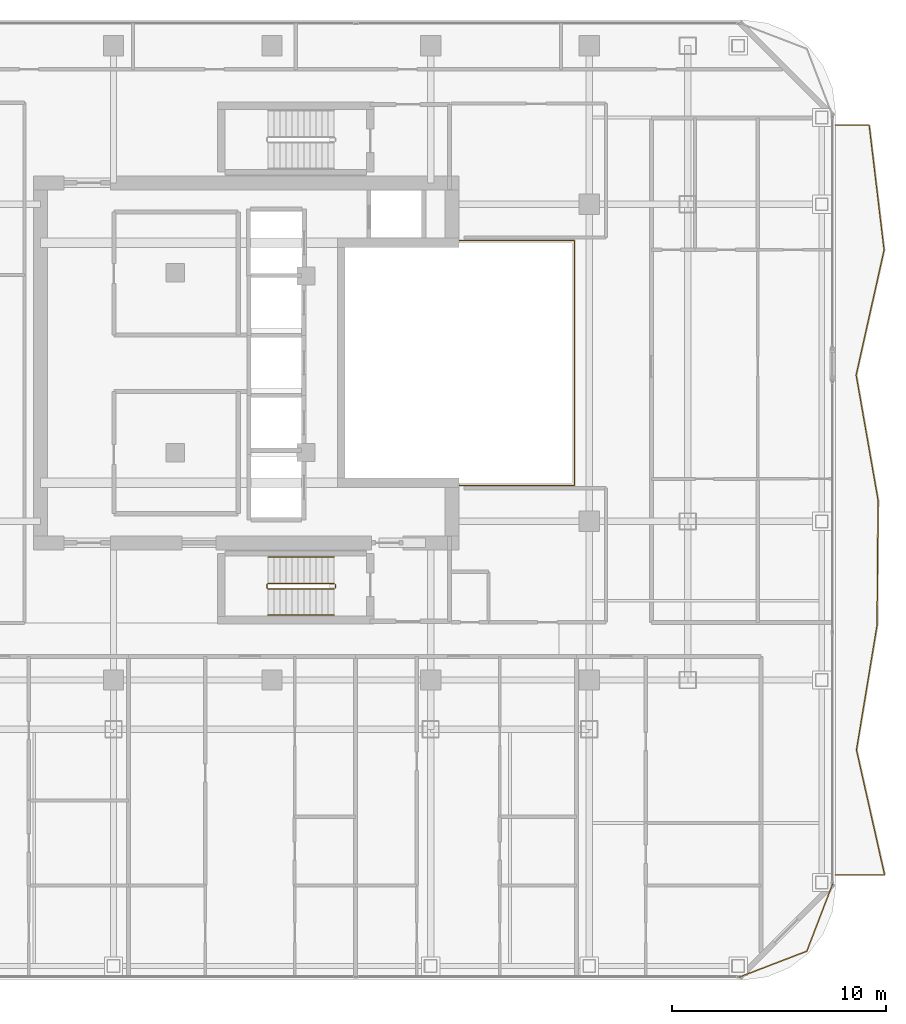
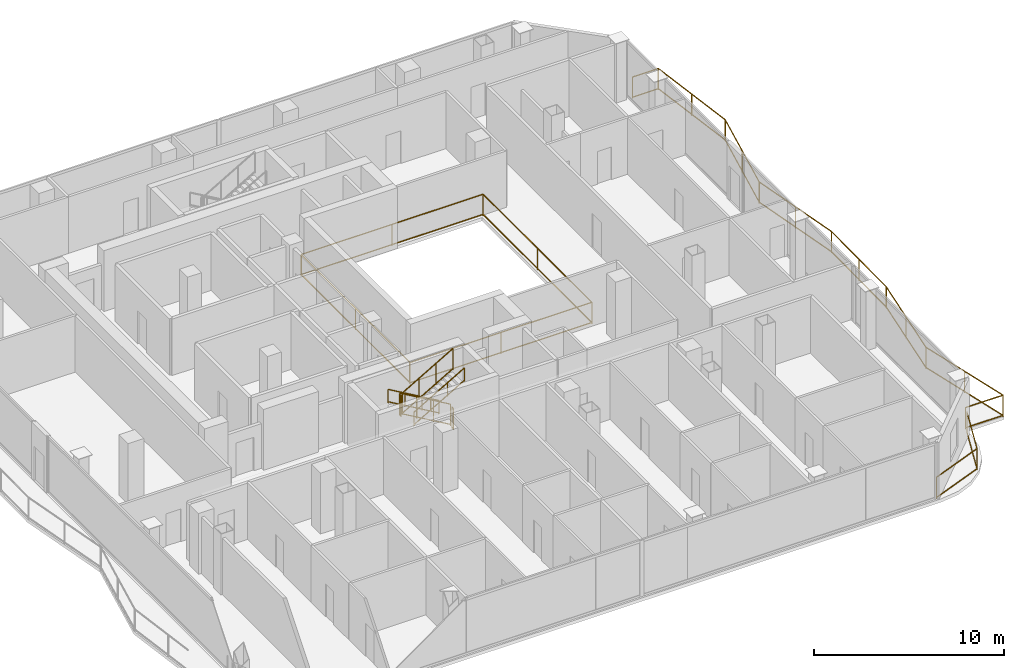
# One storey, part 25 of 26: 9 railings.
"""IFC4 building model written with IfcOpenShell, lengths in metres."""

from ifc_helpers import new_model, si_unit, direction, frame, origin, origin_2d, place, context, subcontext, project, spatial, rectangle, extrude, material, type_object, element, save


model = new_model("IFC4")

# Units and contexts
model_context = context("Model", 3, precision=1e-05, world=origin(), true_north=direction((0.0, 1.0)))
body_context = subcontext(model_context, "Body", "Model", "MODEL_VIEW")
ifc_project = project(units=[si_unit("LENGTHUNIT", "METRE"), si_unit("AREAUNIT", "SQUARE_METRE"), si_unit("VOLUMEUNIT", "CUBIC_METRE"), si_unit("PLANEANGLEUNIT", "RADIAN"), si_unit("MASSUNIT", "GRAM", prefix="KILO")], contexts=[model_context])

# Site, building, storey
site_placement = place(None, origin())
site = spatial("IfcSite", under=ifc_project, at=site_placement, CompositionType="ELEMENT")
building_placement = place(site_placement, origin())
building = spatial("IfcBuilding", under=site, at=building_placement, Name="Khorvyn Point Tower", CompositionType="ELEMENT")
storey_placement = place(building_placement, frame((0.0, 0.0, 250.800048828125)))
storey = spatial("IfcBuildingStorey", under=building, at=storey_placement, Name="L61", CompositionType="ELEMENT", Elevation=250.800048828125)

# Railings
ifc_material_1 = material(Name="Stainless steel 1.4401 and laminated glass", Category="steel")
railing_type_1 = type_object("IfcRailingType", Name="Crystal Atrium Smoke-Rated Perimeter Guardrail 1400", PredefinedType="GUARDRAIL", material=ifc_material_1)
railing_1_placement = place(storey_placement, frame((3.080078125, -5.719970703125, 0.0)))
element("IfcRailing", 1, at=railing_1_placement, inside=storey, type_object=railing_type_1, Name="L61 Crystal Atrium Perimeter Guardrail", PredefinedType="GUARDRAIL", context=body_context, shape_type="SweptSolid", body=[
    extrude(rectangle(XDim=0.048095703125, YDim=0.048095703125, at=origin_2d()), frame((0.0, 0.0, 1.3759765625), z_axis=(1.0, 0.0, 0.0), x_axis=(0.0, 1.0, 0.0)), (0.0, 0.0, 1.0), 11.0400390625),
    extrude(rectangle(XDim=0.048095703125, YDim=0.048095703125, at=origin_2d()), frame((0.0, 0.0, 0.080078125), z_axis=(1.0, 0.0, 0.0), x_axis=(0.0, 1.0, 0.0)), (0.0, 0.0, 1.0), 11.0400390625),
    extrude(rectangle(XDim=0.048095703125, YDim=0.048095703125, at=origin_2d()), frame((11.0400390625, 0.0, 1.3759765625), z_axis=(0.0, 1.0, 0.0), x_axis=(-1.0, 0.0, 0.0)), (0.0, 0.0, 1.0), 11.43994140625),
    extrude(rectangle(XDim=0.048095703125, YDim=0.048095703125, at=origin_2d()), frame((11.0400390625, 0.0, 0.080078125), z_axis=(0.0, 1.0, 0.0), x_axis=(-1.0, 0.0, 0.0)), (0.0, 0.0, 1.0), 11.43994140625),
    extrude(rectangle(XDim=0.048095703125, YDim=0.048095703125, at=origin_2d()), frame((11.0400390625, 11.43994140625, 1.3759765625), z_axis=(-1.0, 0.0, 0.0), x_axis=(0.0, -1.0, 0.0)), (0.0, 0.0, 1.0), 11.0400390625),
    extrude(rectangle(XDim=0.048095703125, YDim=0.048095703125, at=origin_2d()), frame((11.0400390625, 11.43994140625, 0.080078125), z_axis=(-1.0, 0.0, 0.0), x_axis=(0.0, -1.0, 0.0)), (0.0, 0.0, 1.0), 11.0400390625),
    extrude(rectangle(XDim=0.048095703125, YDim=0.048095703125, at=origin_2d()), frame((0.0, 11.43994140625, 1.3759765625), z_axis=(0.0, -1.0, 0.0), x_axis=(1.0, 0.0, 0.0)), (0.0, 0.0, 1.0), 11.409912109375),
    extrude(rectangle(XDim=0.048095703125, YDim=0.048095703125, at=origin_2d()), frame((0.0, 11.43994140625, 0.080078125), z_axis=(0.0, -1.0, 0.0), x_axis=(1.0, 0.0, 0.0)), (0.0, 0.0, 1.0), 11.409912109375),
    extrude(rectangle(XDim=0.0419921875, YDim=0.0419921875, at=origin_2d()), origin(), (0.0, 0.0, 1.0), 1.351806640625),
    extrude(rectangle(XDim=0.0419921875, YDim=0.0419921875, at=origin_2d()), frame((5.52001953125, 0.0, 0.0)), (0.0, 0.0, 1.0), 1.351806640625),
    extrude(rectangle(XDim=0.0419921875, YDim=0.0419921875, at=origin_2d()), frame((11.0400390625, 0.0, 0.0)), (0.0, 0.0, 1.0), 1.351806640625),
    extrude(rectangle(XDim=0.0419921875, YDim=0.0419921875, at=origin_2d()), frame((11.0400390625, 5.719970703125, 0.0)), (0.0, 0.0, 1.0), 1.351806640625),
    extrude(rectangle(XDim=0.0419921875, YDim=0.0419921875, at=origin_2d()), frame((11.0400390625, 11.43994140625, 0.0)), (0.0, 0.0, 1.0), 1.351806640625),
    extrude(rectangle(XDim=0.0419921875, YDim=0.0419921875, at=origin_2d()), frame((5.52001953125, 11.43994140625, 0.0)), (0.0, 0.0, 1.0), 1.351806640625),
    extrude(rectangle(XDim=0.0419921875, YDim=0.0419921875, at=origin_2d()), frame((0.0, 11.43994140625, 0.0)), (0.0, 0.0, 1.0), 1.351806640625),
    extrude(rectangle(XDim=0.0419921875, YDim=0.0419921875, at=origin_2d()), frame((0.0, 5.73486328125, 0.0)), (0.0, 0.0, 1.0), 1.351806640625),
    extrude(rectangle(XDim=0.0419921875, YDim=0.0419921875, at=origin_2d()), frame((0.0, 0.030029296875, 0.0)), (0.0, 0.0, 1.0), 1.351806640625),
])
ifc_material_2 = material(Name="Anodised aluminium 6063-T6 and laminated safety glass", Category="aluminium")
railing_type_2 = type_object("IfcRailingType", Name="Laminated Glass and Aluminium Balcony Guardrail 1400", PredefinedType="BALUSTRADE", material=ifc_material_2)
railing_2_placement = place(storey_placement, frame((21.78125, -28.67431640625, 0.0)))
element("IfcRailing", 2, at=railing_2_placement, inside=storey, type_object=railing_type_2, Name="L61 Rounded Corner Edge Guardrail SE", PredefinedType="BALUSTRADE", context=body_context, shape_type="SweptSolid", body=[
    extrude(rectangle(XDim=0.048095703125, YDim=0.048095703125, at=origin_2d()), frame((0.0, 0.0, 1.3759765625), z_axis=(0.933589651443, 0.358343916815, 0.0), x_axis=(-0.358343916815, 0.933589651443, 0.0)), (0.0, 0.0, 1.0), 3.400390625),
    extrude(rectangle(XDim=0.048095703125, YDim=0.048095703125, at=origin_2d()), frame((0.0, 0.0, 0.080078125), z_axis=(0.933589651443, 0.358343916815, 0.0), x_axis=(-0.358343916815, 0.933589651443, 0.0)), (0.0, 0.0, 1.0), 3.400390625),
    extrude(rectangle(XDim=0.048095703125, YDim=0.048095703125, at=origin_2d()), frame((3.174560546875, 1.218505859375, 1.3759765625), z_axis=(0.358343916815, 0.933589651443, 0.0), x_axis=(-0.933589651443, 0.358343916815, 0.0)), (0.0, 0.0, 1.0), 3.400390625),
    extrude(rectangle(XDim=0.048095703125, YDim=0.048095703125, at=origin_2d()), frame((3.174560546875, 1.218505859375, 0.080078125), z_axis=(0.358343916815, 0.933589651443, 0.0), x_axis=(-0.933589651443, 0.358343916815, 0.0)), (0.0, 0.0, 1.0), 3.400390625),
    extrude(rectangle(XDim=0.0419921875, YDim=0.0419921875, at=origin_2d()), origin(), (0.0, 0.0, 1.0), 1.351806640625),
    extrude(rectangle(XDim=0.0419921875, YDim=0.0419921875, at=origin_2d()), frame((3.174560546875, 1.218505859375, 0.0)), (0.0, 0.0, 1.0), 1.351806640625),
    extrude(rectangle(XDim=0.0419921875, YDim=0.0419921875, at=origin_2d()), frame((4.39306640625, 4.39306640625, 0.0)), (0.0, 0.0, 1.0), 1.351806640625),
])
railing_3_placement = place(storey_placement, frame((26.300048828125, -23.89990234375, 0.0)))
element("IfcRailing", 3, at=railing_3_placement, inside=storey, type_object=railing_type_2, Name="L61 East Balcony Guardrail", PredefinedType="BALUSTRADE", context=body_context, shape_type="SweptSolid", body=[
    extrude(rectangle(XDim=0.048095703125, YDim=0.048095703125, at=origin_2d()), frame((0.0, 0.0, 1.3759765625), z_axis=(1.0, 0.0, 0.0), x_axis=(0.0, 1.0, 0.0)), (0.0, 0.0, 1.0), 2.285400390625),
    extrude(rectangle(XDim=0.048095703125, YDim=0.048095703125, at=origin_2d()), frame((0.0, 0.0, 0.080078125), z_axis=(1.0, 0.0, 0.0), x_axis=(0.0, 1.0, 0.0)), (0.0, 0.0, 1.0), 2.285400390625),
    extrude(rectangle(XDim=0.048095703125, YDim=0.048095703125, at=origin_2d()), frame((2.285400390625, 0.0, 1.3759765625), z_axis=(-0.219825995225, 0.97553909805, 0.0), x_axis=(-0.97553909805, -0.219825995225, 0.0)), (0.0, 0.0, 1.0), 5.9794921875),
    extrude(rectangle(XDim=0.048095703125, YDim=0.048095703125, at=origin_2d()), frame((2.285400390625, 0.0, 0.080078125), z_axis=(-0.219825995225, 0.97553909805, 0.0), x_axis=(-0.97553909805, -0.219825995225, 0.0)), (0.0, 0.0, 1.0), 5.9794921875),
    extrude(rectangle(XDim=0.048095703125, YDim=0.048095703125, at=origin_2d()), frame((0.970947265625, 5.833251953125, 1.3759765625), z_axis=(0.163026103585, 0.98662175607, 0.0), x_axis=(-0.98662175607, 0.163026103585, 0.0)), (0.0, 0.0, 1.0), 5.912353515625),
    extrude(rectangle(XDim=0.048095703125, YDim=0.048095703125, at=origin_2d()), frame((0.970947265625, 5.833251953125, 0.080078125), z_axis=(0.163026103585, 0.98662175607, 0.0), x_axis=(-0.98662175607, 0.163026103585, 0.0)), (0.0, 0.0, 1.0), 5.912353515625),
    extrude(rectangle(XDim=0.048095703125, YDim=0.048095703125, at=origin_2d()), frame((1.934814453125, 11.66650390625, 1.3759765625), z_axis=(0.007449362227, 0.999972253116, 0.0), x_axis=(-0.999972253116, 0.007449362227, 0.0)), (0.0, 0.0, 1.0), 5.833740234375),
    extrude(rectangle(XDim=0.048095703125, YDim=0.048095703125, at=origin_2d()), frame((1.934814453125, 11.66650390625, 0.080078125), z_axis=(0.007449362227, 0.999972253116, 0.0), x_axis=(-0.999972253116, 0.007449362227, 0.0)), (0.0, 0.0, 1.0), 5.833740234375),
    extrude(rectangle(XDim=0.048095703125, YDim=0.048095703125, at=origin_2d()), frame((1.978271484375, 17.5, 1.3759765625), z_axis=(-0.172449333393, 0.985018389378, 0.0), x_axis=(-0.985018389378, -0.172449333393, 0.0)), (0.0, 0.0, 1.0), 5.921875),
    extrude(rectangle(XDim=0.048095703125, YDim=0.048095703125, at=origin_2d()), frame((1.978271484375, 17.5, 0.080078125), z_axis=(-0.172449333393, 0.985018389378, 0.0), x_axis=(-0.985018389378, -0.172449333393, 0.0)), (0.0, 0.0, 1.0), 5.921875),
    extrude(rectangle(XDim=0.048095703125, YDim=0.048095703125, at=origin_2d()), frame((0.95703125, 23.333251953125, 1.3759765625), z_axis=(0.218037493008, 0.975940393489, 0.0), x_axis=(-0.975940393489, 0.218037493008, 0.0)), (0.0, 0.0, 1.0), 5.97705078125),
    extrude(rectangle(XDim=0.048095703125, YDim=0.048095703125, at=origin_2d()), frame((0.95703125, 23.333251953125, 0.080078125), z_axis=(0.218037493008, 0.975940393489, 0.0), x_axis=(-0.975940393489, 0.218037493008, 0.0)), (0.0, 0.0, 1.0), 5.97705078125),
    extrude(rectangle(XDim=0.048095703125, YDim=0.048095703125, at=origin_2d()), frame((2.26025390625, 29.16650390625, 1.3759765625), z_axis=(-0.118724083509, 0.992927284344, 0.0), x_axis=(-0.992927284344, -0.118724083509, 0.0)), (0.0, 0.0, 1.0), 5.875),
    extrude(rectangle(XDim=0.048095703125, YDim=0.048095703125, at=origin_2d()), frame((2.26025390625, 29.16650390625, 0.080078125), z_axis=(-0.118724083509, 0.992927284344, 0.0), x_axis=(-0.992927284344, -0.118724083509, 0.0)), (0.0, 0.0, 1.0), 5.875),
    extrude(rectangle(XDim=0.048095703125, YDim=0.048095703125, at=origin_2d()), frame((1.562744140625, 35.0, 1.3759765625), z_axis=(-1.0, 0.0, 0.0), x_axis=(0.0, -1.0, 0.0)), (0.0, 0.0, 1.0), 1.562744140625),
    extrude(rectangle(XDim=0.048095703125, YDim=0.048095703125, at=origin_2d()), frame((1.562744140625, 35.0, 0.080078125), z_axis=(-1.0, 0.0, 0.0), x_axis=(0.0, -1.0, 0.0)), (0.0, 0.0, 1.0), 1.562744140625),
    extrude(rectangle(XDim=0.0419921875, YDim=0.0419921875, at=origin_2d()), origin(), (0.0, 0.0, 1.0), 1.351806640625),
    extrude(rectangle(XDim=0.0419921875, YDim=0.0419921875, at=origin_2d()), frame((2.285400390625, 0.0, 0.0)), (0.0, 0.0, 1.0), 1.351806640625),
    extrude(rectangle(XDim=0.0419921875, YDim=0.0419921875, at=origin_2d()), frame((1.628173828125, 2.91650390625, 0.0)), (0.0, 0.0, 1.0), 1.351806640625),
    extrude(rectangle(XDim=0.0419921875, YDim=0.0419921875, at=origin_2d()), frame((0.970947265625, 5.833251953125, 0.0)), (0.0, 0.0, 1.0), 1.351806640625),
    extrude(rectangle(XDim=0.0419921875, YDim=0.0419921875, at=origin_2d()), frame((1.452880859375, 8.75, 0.0)), (0.0, 0.0, 1.0), 1.351806640625),
    extrude(rectangle(XDim=0.0419921875, YDim=0.0419921875, at=origin_2d()), frame((1.934814453125, 11.66650390625, 0.0)), (0.0, 0.0, 1.0), 1.351806640625),
    extrude(rectangle(XDim=0.0419921875, YDim=0.0419921875, at=origin_2d()), frame((1.95654296875, 14.583251953125, 0.0)), (0.0, 0.0, 1.0), 1.351806640625),
    extrude(rectangle(XDim=0.0419921875, YDim=0.0419921875, at=origin_2d()), frame((1.978271484375, 17.5, 0.0)), (0.0, 0.0, 1.0), 1.351806640625),
    extrude(rectangle(XDim=0.0419921875, YDim=0.0419921875, at=origin_2d()), frame((1.4677734375, 20.41650390625, 0.0)), (0.0, 0.0, 1.0), 1.351806640625),
    extrude(rectangle(XDim=0.0419921875, YDim=0.0419921875, at=origin_2d()), frame((0.95703125, 23.333251953125, 0.0)), (0.0, 0.0, 1.0), 1.351806640625),
    extrude(rectangle(XDim=0.0419921875, YDim=0.0419921875, at=origin_2d()), frame((1.608642578125, 26.25, 0.0)), (0.0, 0.0, 1.0), 1.351806640625),
    extrude(rectangle(XDim=0.0419921875, YDim=0.0419921875, at=origin_2d()), frame((2.26025390625, 29.16650390625, 0.0)), (0.0, 0.0, 1.0), 1.351806640625),
    extrude(rectangle(XDim=0.0419921875, YDim=0.0419921875, at=origin_2d()), frame((1.91162109375, 32.083251953125, 0.0)), (0.0, 0.0, 1.0), 1.351806640625),
    extrude(rectangle(XDim=0.0419921875, YDim=0.0419921875, at=origin_2d()), frame((1.562744140625, 35.0, 0.0)), (0.0, 0.0, 1.0), 1.351806640625),
    extrude(rectangle(XDim=0.0419921875, YDim=0.0419921875, at=origin_2d()), frame((0.0, 35.0, 0.0)), (0.0, 0.0, 1.0), 1.351806640625),
])
ifc_material_3 = material(Name="Stainless steel 1.4301", Category="steel")
railing_type_3 = type_object("IfcRailingType", Name="Stainless Steel 304 Stair Pitch Handrail 900", PredefinedType="HANDRAIL", material=ifc_material_3)
railing_4_placement = place(storey_placement, frame((2.89990234375, -9.070068359375, 0.162353515625)))
element("IfcRailing", 4, at=railing_4_placement, inside=storey, type_object=railing_type_3, Name="L61 ST-01 stair handrail 1", PredefinedType="HANDRAIL", context=body_context, shape_type="SweptSolid", body=[
    extrude(rectangle(XDim=0.048095703125, YDim=0.048095703125, at=origin_2d()), frame((0.0, 0.0, 0.8759765625), z_axis=(-0.864873446163, 0.0, 0.501989962173), x_axis=(0.0, -1.0, 0.0)), (0.0, 0.0, 1.0), 3.56103515625),
    extrude(rectangle(XDim=0.048095703125, YDim=0.048095703125, at=origin_2d()), frame((0.0, 0.0, 0.080078125), z_axis=(-0.864873446163, 0.0, 0.501989962173), x_axis=(0.0, -1.0, 0.0)), (0.0, 0.0, 1.0), 3.56103515625),
    extrude(rectangle(XDim=0.0419921875, YDim=0.0419921875, at=origin_2d()), origin(), (0.0, 0.0, 1.0), 0.851806640625),
    extrude(rectangle(XDim=0.0419921875, YDim=0.0419921875, at=origin_2d()), frame((-1.026611328125, 0.0, 0.595947265625)), (0.0, 0.0, 1.0), 0.851806640625),
    extrude(rectangle(XDim=0.0419921875, YDim=0.0419921875, at=origin_2d()), frame((-2.05322265625, 0.0, 1.191650390625)), (0.0, 0.0, 1.0), 0.851806640625),
    extrude(rectangle(XDim=0.0419921875, YDim=0.0419921875, at=origin_2d()), frame((-3.079833984375, 0.0, 1.78759765625)), (0.0, 0.0, 1.0), 0.851806640625),
])
railing_5_placement = place(storey_placement, frame((-0.179931640625, -11.77001953125, 2.112548828125)))
element("IfcRailing", 5, at=railing_5_placement, inside=storey, type_object=railing_type_3, Name="L61 ST-01 stair handrail 2", PredefinedType="HANDRAIL", context=body_context, shape_type="SweptSolid", body=[
    extrude(rectangle(XDim=0.048095703125, YDim=0.048095703125, at=origin_2d()), frame((0.0, 0.0, 0.8759765625), z_axis=(0.864903211148, 0.0, 0.501938676878), x_axis=(0.0, 1.0, 0.0)), (0.0, 0.0, 1.0), 3.560791015625),
    extrude(rectangle(XDim=0.048095703125, YDim=0.048095703125, at=origin_2d()), frame((0.0, 0.0, 0.080078125), z_axis=(0.864903211148, 0.0, 0.501938676878), x_axis=(0.0, 1.0, 0.0)), (0.0, 0.0, 1.0), 3.560791015625),
    extrude(rectangle(XDim=0.0419921875, YDim=0.0419921875, at=origin_2d()), origin(), (0.0, 0.0, 1.0), 0.851806640625),
    extrude(rectangle(XDim=0.0419921875, YDim=0.0419921875, at=origin_2d()), frame((1.026611328125, 0.0, 0.595703125)), (0.0, 0.0, 1.0), 0.851806640625),
    extrude(rectangle(XDim=0.0419921875, YDim=0.0419921875, at=origin_2d()), frame((2.05322265625, 0.0, 1.191650390625)), (0.0, 0.0, 1.0), 0.851806640625),
    extrude(rectangle(XDim=0.0419921875, YDim=0.0419921875, at=origin_2d()), frame((3.079833984375, 0.0, 1.787353515625)), (0.0, 0.0, 1.0), 0.851806640625),
])
railing_type_4 = type_object("IfcRailingType", Name="Stainless Steel 304 Stair Well Guardrail 1400", PredefinedType="GUARDRAIL", material=ifc_material_3)
railing_6_placement = place(storey_placement, frame((2.89990234375, -10.2900390625, 0.162353515625)))
element("IfcRailing", 6, at=railing_6_placement, inside=storey, type_object=railing_type_4, Name="L61 ST-01 stair guard 1", PredefinedType="GUARDRAIL", context=body_context, shape_type="SweptSolid", body=[
    extrude(rectangle(XDim=0.048095703125, YDim=0.048095703125, at=origin_2d()), frame((0.0, 0.0, 1.3759765625), z_axis=(-0.864873446163, 0.0, 0.501989962173), x_axis=(0.0, -1.0, 0.0)), (0.0, 0.0, 1.0), 3.56103515625),
    extrude(rectangle(XDim=0.048095703125, YDim=0.048095703125, at=origin_2d()), frame((0.0, 0.0, 0.080078125), z_axis=(-0.864873446163, 0.0, 0.501989962173), x_axis=(0.0, -1.0, 0.0)), (0.0, 0.0, 1.0), 3.56103515625),
    extrude(rectangle(XDim=0.0419921875, YDim=0.0419921875, at=origin_2d()), origin(), (0.0, 0.0, 1.0), 1.351806640625),
    extrude(rectangle(XDim=0.0419921875, YDim=0.0419921875, at=origin_2d()), frame((-1.026611328125, 0.0, 0.595947265625)), (0.0, 0.0, 1.0), 1.351806640625),
    extrude(rectangle(XDim=0.0419921875, YDim=0.0419921875, at=origin_2d()), frame((-2.05322265625, 0.0, 1.191650390625)), (0.0, 0.0, 1.0), 1.351806640625),
    extrude(rectangle(XDim=0.0419921875, YDim=0.0419921875, at=origin_2d()), frame((-3.079833984375, 0.0, 1.78759765625)), (0.0, 0.0, 1.0), 1.351806640625),
])
railing_7_placement = place(storey_placement, frame((-0.22998046875, -10.340087890625, 1.949951171875)))
element("IfcRailing", 7, at=railing_7_placement, inside=storey, type_object=railing_type_4, Name="L61 ST-01 stair guard 2", PredefinedType="GUARDRAIL", context=body_context, shape_type="SweptSolid", body=[
    extrude(rectangle(XDim=0.048095703125, YDim=0.048095703125, at=origin_2d()), frame((0.0, 0.0, 1.3759765625), z_axis=(0.0, -1.0, 0.0), x_axis=(1.0, 0.0, 0.0)), (0.0, 0.0, 1.0), 0.159912109375),
    extrude(rectangle(XDim=0.048095703125, YDim=0.048095703125, at=origin_2d()), frame((0.0, 0.0, 0.080078125), z_axis=(0.0, -1.0, 0.0), x_axis=(1.0, 0.0, 0.0)), (0.0, 0.0, 1.0), 0.159912109375),
    extrude(rectangle(XDim=0.0419921875, YDim=0.0419921875, at=origin_2d()), origin(), (0.0, 0.0, 1.0), 1.351806640625),
    extrude(rectangle(XDim=0.0419921875, YDim=0.0419921875, at=origin_2d()), frame((0.0, -0.159912109375, 0.0)), (0.0, 0.0, 1.0), 1.351806640625),
])
railing_8_placement = place(storey_placement, frame((-0.179931640625, -10.550048828125, 2.112548828125)))
element("IfcRailing", 8, at=railing_8_placement, inside=storey, type_object=railing_type_4, Name="L61 ST-01 stair guard 3", PredefinedType="GUARDRAIL", context=body_context, shape_type="SweptSolid", body=[
    extrude(rectangle(XDim=0.048095703125, YDim=0.048095703125, at=origin_2d()), frame((0.0, 0.0, 1.3759765625), z_axis=(0.864903211148, 0.0, 0.501938676878), x_axis=(0.0, 1.0, 0.0)), (0.0, 0.0, 1.0), 3.560791015625),
    extrude(rectangle(XDim=0.048095703125, YDim=0.048095703125, at=origin_2d()), frame((0.0, 0.0, 0.080078125), z_axis=(0.864903211148, 0.0, 0.501938676878), x_axis=(0.0, 1.0, 0.0)), (0.0, 0.0, 1.0), 3.560791015625),
    extrude(rectangle(XDim=0.0419921875, YDim=0.0419921875, at=origin_2d()), origin(), (0.0, 0.0, 1.0), 1.351806640625),
    extrude(rectangle(XDim=0.0419921875, YDim=0.0419921875, at=origin_2d()), frame((1.026611328125, 0.0, 0.595703125)), (0.0, 0.0, 1.0), 1.351806640625),
    extrude(rectangle(XDim=0.0419921875, YDim=0.0419921875, at=origin_2d()), frame((2.05322265625, 0.0, 1.191650390625)), (0.0, 0.0, 1.0), 1.351806640625),
    extrude(rectangle(XDim=0.0419921875, YDim=0.0419921875, at=origin_2d()), frame((3.079833984375, 0.0, 1.787353515625)), (0.0, 0.0, 1.0), 1.351806640625),
])
railing_9_placement = place(storey_placement, frame((2.949951171875, -10.340087890625, 0.0)))
element("IfcRailing", 9, at=railing_9_placement, inside=storey, type_object=railing_type_4, Name="L61 ST-01 stair guard 4", PredefinedType="GUARDRAIL", context=body_context, shape_type="SweptSolid", body=[
    extrude(rectangle(XDim=0.048095703125, YDim=0.048095703125, at=origin_2d()), frame((0.0, 0.0, 1.3759765625), z_axis=(0.0, -1.0, 0.0), x_axis=(1.0, 0.0, 0.0)), (0.0, 0.0, 1.0), 0.159912109375),
    extrude(rectangle(XDim=0.048095703125, YDim=0.048095703125, at=origin_2d()), frame((0.0, 0.0, 0.080078125), z_axis=(0.0, -1.0, 0.0), x_axis=(1.0, 0.0, 0.0)), (0.0, 0.0, 1.0), 0.159912109375),
    extrude(rectangle(XDim=0.0419921875, YDim=0.0419921875, at=origin_2d()), origin(), (0.0, 0.0, 1.0), 1.351806640625),
    extrude(rectangle(XDim=0.0419921875, YDim=0.0419921875, at=origin_2d()), frame((0.0, -0.159912109375, 0.0)), (0.0, 0.0, 1.0), 1.351806640625),
])

save(model, "model.ifc")
